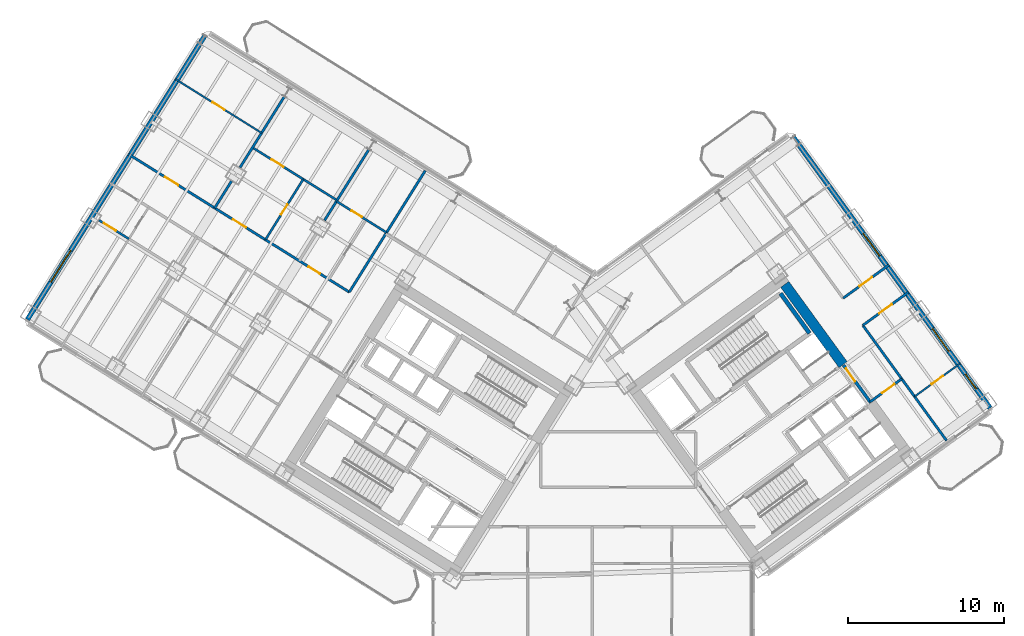
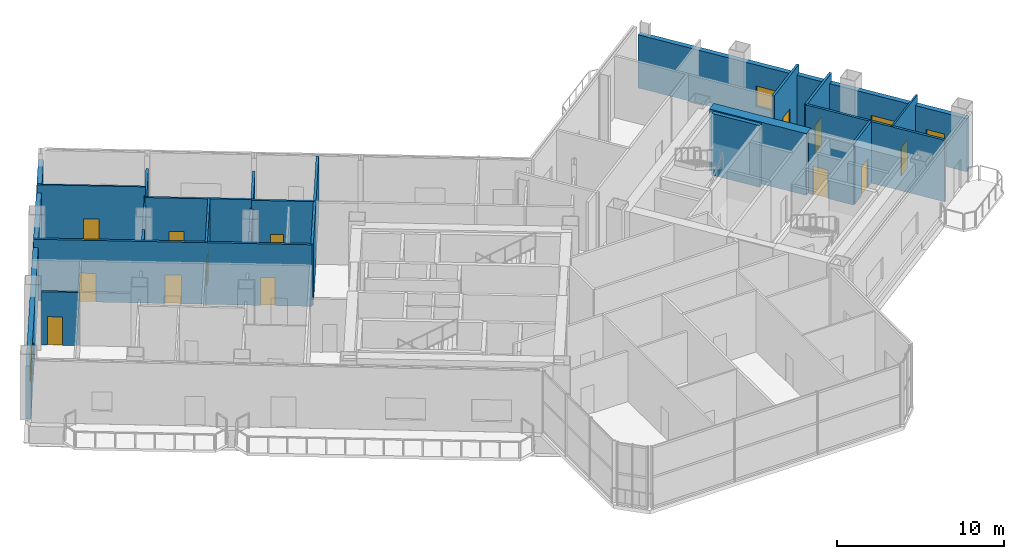
# One storey, part 16 of 22: 20 walls, 13 doors, 4 windows, 17 openings.
"""IFC4 building model written with IfcOpenShell, lengths in metres."""

from ifc_helpers import new_model, si_unit, direction, frame, frame_2d, origin, place, context, subcontext, project, spatial, rectangle, extrude, source, transform, mapped, material, layer, layer_set, type_object, element, fill, save


model = new_model("IFC4")

# Units and contexts
model_context = context("Model", 3, precision=1e-05, world=origin(), true_north=direction((0.0, 1.0)))
body_context = subcontext(model_context, "Body", "Model", "MODEL_VIEW")
ifc_project = project(units=[si_unit("LENGTHUNIT", "METRE"), si_unit("AREAUNIT", "SQUARE_METRE"), si_unit("VOLUMEUNIT", "CUBIC_METRE"), si_unit("PLANEANGLEUNIT", "RADIAN"), si_unit("MASSUNIT", "GRAM", prefix="KILO")], contexts=[model_context])

# Site, building, storey
site_placement = place(None, origin())
site = spatial("IfcSite", under=ifc_project, at=site_placement, CompositionType="ELEMENT")
building_placement = place(site_placement, origin())
building = spatial("IfcBuilding", under=site, at=building_placement, Name="Tlacorven Tower", CompositionType="ELEMENT")
storey_placement = place(building_placement, frame((0.0, 0.0, 71.699951171875)))
storey = spatial("IfcBuildingStorey", under=building, at=storey_placement, Name="L18", CompositionType="ELEMENT", Elevation=71.699951171875)

# Walls
ifc_material_1 = material(Name="Concrete C60/75", Category="concrete")
ifc_layer_1 = layer(ifc_material_1, 0.64990234375)
ifc_layer_set_1 = layer_set([ifc_layer_1], Name="Concrete C60/75")
wall_type_1 = type_object("IfcWallType", Name="WL-COR-650", PredefinedType="SHEAR", material=ifc_layer_set_1)
wall_1_placement = place(storey_placement, frame((58.06396484375, 25.8134765625, 0.0), z_axis=(0.0, 0.0, 1.0), x_axis=(-0.58777996584, 0.809020835181, 0.0)))
element("IfcWall", 1, at=wall_1_placement, inside=storey, type_object=wall_type_1, Name="L18 E core end wall E2.2", PredefinedType="SHEAR", context=body_context, shape_type="SweptSolid", body=[
    extrude(rectangle(XDim=6.375, YDim=0.64990234375, at=frame_2d((3.1875, 0.0))), origin(), (0.0, 0.0, 1.0), 4.52001953125),
])
ifc_material_2 = material(Name="Gypsum plasterboard acoustic partition", Category="gypsum")
ifc_layer_2 = layer(ifc_material_2, 0.159912109375)
ifc_layer_set_2 = layer_set([ifc_layer_2], Name="Gypsum plasterboard acoustic partition")
wall_type_2 = type_object("IfcWallType", Name="WL-DEM-160", PredefinedType="PARTITIONING", material=ifc_layer_set_2)
wall_2_placement = place(storey_placement, frame((31.238525390625, 38.27392578125, 0.0), z_axis=(0.0, 0.0, 1.0), x_axis=(-0.529920220799, -0.848047498427, 0.0)))
element("IfcWall", 2, at=wall_2_placement, inside=storey, type_object=wall_type_2, Name="L18 partition 51", PredefinedType="PARTITIONING", context=body_context, shape_type="SweptSolid", body=[
    extrude(rectangle(XDim=9.199951171875, YDim=0.159912109375, at=frame_2d((4.60009765625, 0.0))), origin(), (0.0, 0.0, 1.0), 4.510009765625),
])

# Wall, openings, doors
wall_3_placement = place(storey_placement, frame((26.36328125, 30.471923828125, 0.0), z_axis=(0.0, 0.0, 1.0), x_axis=(-0.848052408131, 0.529912363569, 0.0)))
wall_3 = element("IfcWall", 3, at=wall_3_placement, inside=storey, type_object=wall_type_2, Name="L18 Wing W Corridor South Wall", PredefinedType="PARTITIONING", context=body_context, shape_type="SweptSolid", body=[
    extrude(rectangle(XDim=16.72998046875, YDim=0.159912109375, at=frame_2d((8.364990234375, 0.0))), origin(), (0.0, 0.0, 1.0), 4.510009765625),
])
opening_1_placement = place(wall_3_placement, frame((2.219970703125, 0.0, 0.0)))
opening_1 = element("IfcOpeningElement", 4, at=opening_1_placement, cuts=wall_3, Name="Opening D19", PredefinedType="OPENING", context=body_context, shape_type="SweptSolid", body=[
    extrude(rectangle(XDim=0.860107421875, YDim=2.050048828125, at=frame_2d((0.43017578125, 1.02490234375))), frame((0.0, 0.08984375, 0.0), z_axis=(0.0, -1.0, 0.0), x_axis=(1.0, 0.0, 0.0)), (0.0, 0.0, 1.0), 0.179931640625),
])
opening_2_placement = place(wall_3_placement, frame((7.820068359375, 0.0, 0.0)))
opening_2 = element("IfcOpeningElement", 5, at=opening_2_placement, cuts=wall_3, Name="Opening D11", PredefinedType="OPENING", context=body_context, shape_type="SweptSolid", body=[
    extrude(rectangle(XDim=1.0, YDim=2.10009765625, at=frame_2d((0.5, 1.050048828125))), frame((0.0, 0.08984375, 0.0), z_axis=(0.0, -1.0, 0.0), x_axis=(1.0, 0.0, 0.0)), (0.0, 0.0, 1.0), 0.179931640625),
])
opening_3_placement = place(wall_3_placement, frame((12.949951171875, 0.0, 0.0)))
opening_3 = element("IfcOpeningElement", 6, at=opening_3_placement, cuts=wall_3, Name="Opening D11", PredefinedType="OPENING", context=body_context, shape_type="SweptSolid", body=[
    extrude(rectangle(XDim=1.0, YDim=2.10009765625, at=frame_2d((0.5, 1.050048828125))), frame((0.0, 0.08984375, 0.0), z_axis=(0.0, -1.0, 0.0), x_axis=(1.0, 0.0, 0.0)), (0.0, 0.0, 1.0), 0.179931640625),
])
ifc_material_3 = material(Name="Fire-rated steel door assembly", Category="steel")
door_type_1 = type_object("IfcDoorType", Name="DR-RSR-FD60-0860", OperationType="NOTDEFINED", PredefinedType="DOOR", material=ifc_material_3)
shared_shape_1 = source(origin(), body_context, "Body", "SweptSolid", [
    extrude(rectangle(XDim=0.860107421875, YDim=2.050048828125, at=frame_2d((0.43017578125, 1.02490234375))), frame((0.0, 0.02490234375, 0.0), z_axis=(0.0, -1.0, 0.0), x_axis=(1.0, 0.0, 0.0)), (0.0, 0.0, 1.0), 0.050048828125),
])
door_1_placement = place(opening_1_placement, origin())
door_1 = element("IfcDoor", 7, at=door_1_placement, inside=storey, type_object=door_type_1, Name="L18 door 034", OperationType="SINGLE_SWING_RIGHT", OverallHeight=2.050048828125, OverallWidth=0.860107421875, PredefinedType="DOOR", context=body_context, shape_type="MappedRepresentation", body=[
    mapped(shared_shape_1, transform((0.0, 0.0, 0.0), scale=1.0)),
])
fill(opening_1, door_1)
door_type_2 = type_object("IfcDoorType", Name="DR-FLT-FD60-1000", OperationType="NOTDEFINED", PredefinedType="DOOR", material=ifc_material_3)
shared_shape_2 = source(origin(), body_context, "Body", "SweptSolid", [
    extrude(rectangle(XDim=1.0, YDim=2.10009765625, at=frame_2d((0.5, 1.050048828125))), frame((0.0, 0.02490234375, 0.0), z_axis=(0.0, -1.0, 0.0), x_axis=(1.0, 0.0, 0.0)), (0.0, 0.0, 1.0), 0.050048828125),
])
door_2_placement = place(opening_2_placement, origin())
door_2 = element("IfcDoor", 8, at=door_2_placement, inside=storey, type_object=door_type_2, Name="L18 door 037", OperationType="SINGLE_SWING_LEFT", OverallHeight=2.10009765625, OverallWidth=1.0, PredefinedType="DOOR", context=body_context, shape_type="MappedRepresentation", body=[
    mapped(shared_shape_2, transform((0.0, 0.0, 0.0), scale=1.0)),
])
fill(opening_2, door_2)
door_3_placement = place(opening_3_placement, origin())
door_3 = element("IfcDoor", 9, at=door_3_placement, inside=storey, type_object=door_type_2, Name="L18 door 040", OperationType="SINGLE_SWING_RIGHT", OverallHeight=2.10009765625, OverallWidth=1.0, PredefinedType="DOOR", context=body_context, shape_type="MappedRepresentation", body=[
    mapped(shared_shape_2, transform((0.0, 0.0, 0.0), scale=1.0)),
])
fill(opening_3, door_3)

# Walls
for number, where, z_axis, x_axis, name in (
    (10, (27.607421875, 39.614990234375, 0.0), (0.0, 0.0, 1.0), (-0.529937421401, -0.848036750028, 0.0), "L18 WS Demising Wall 1"),
    (11, (22.179931640625, 43.00634765625, 0.0), (0.0, 0.0, 1.0), (-0.529937421401, -0.848036750028, 0.0), "L18 WS Demising Wall 2"),
):
    element("IfcWall", number, at=place(storey_placement, frame(where, z_axis=z_axis, x_axis=x_axis)), inside=storey, type_object=wall_type_2, Name=name, PredefinedType="PARTITIONING", context=body_context, shape_type="SweptSolid", body=[
        extrude(rectangle(XDim=5.35107421875, YDim=0.159912109375, at=frame_2d((2.675537109375, 0.0))), origin(), (0.0, 0.0, 1.0), 3.89501953125),
    ])
wall_4_placement = place(storey_placement, frame((18.801513671875, 37.60009765625, 0.0), z_axis=(0.0, 0.0, 1.0), x_axis=(-0.529880479764, -0.848072330149, 0.0)))
element("IfcWall", 12, at=wall_4_placement, inside=storey, type_object=wall_type_2, Name="L18 WS Demising Wall 2", PredefinedType="PARTITIONING", context=body_context, shape_type="SweptSolid", body=[
    extrude(rectangle(XDim=2.037841796875, YDim=0.159912109375, at=frame_2d((1.01904296875, 0.0))), origin(), (0.0, 0.0, 1.0), 3.89501953125),
])

# Wall, opening, door
wall_5_placement = place(storey_placement, frame((59.7978515625, 23.427001953125, 0.0), z_axis=(0.0, 0.0, 1.0), x_axis=(0.809034604122, 0.587761013791, 0.0)))
wall_5 = element("IfcWall", 13, at=wall_5_placement, inside=storey, type_object=wall_type_2, Name="L18 partition 95", PredefinedType="PARTITIONING", context=body_context, shape_type="SweptSolid", body=[
    extrude(rectangle(XDim=2.510009765625, YDim=0.159912109375, at=frame_2d((1.2548828125, 0.0))), origin(), (0.0, 0.0, 1.0), 4.510009765625),
])
opening_4_placement = place(wall_5_placement, frame((0.949951171875, 0.0, 0.0)))
opening_4 = element("IfcOpeningElement", 14, at=opening_4_placement, cuts=wall_5, Name="Opening D11", PredefinedType="OPENING", context=body_context, shape_type="SweptSolid", body=[
    extrude(rectangle(XDim=1.0, YDim=2.10009765625, at=frame_2d((0.5, 1.050048828125))), frame((0.0, 0.08984375, 0.0), z_axis=(0.0, -1.0, 0.0), x_axis=(1.0, 0.0, 0.0)), (0.0, 0.0, 1.0), 0.179931640625),
])
door_4_placement = place(opening_4_placement, frame((1.0, 0.0, 0.0), z_axis=(0.0, 0.0, 1.0), x_axis=(-1.0, 0.0, 0.0)))
door_4 = element("IfcDoor", 15, at=door_4_placement, inside=storey, type_object=door_type_2, Name="L18 door 058", OperationType="SINGLE_SWING_LEFT", OverallHeight=2.10009765625, OverallWidth=1.0, PredefinedType="DOOR", context=body_context, shape_type="MappedRepresentation", body=[
    mapped(shared_shape_2, transform((0.0, 0.0, 0.0), scale=1.0)),
])
fill(opening_4, door_4)

# Wall
wall_6_placement = place(storey_placement, frame((64.708740234375, 20.93798828125, 0.0), z_axis=(0.0, 0.0, 1.0), x_axis=(-0.587776590479, 0.80902328748, 0.0)))
element("IfcWall", 16, at=wall_6_placement, inside=storey, type_object=wall_type_2, Name="L18 partition 97", PredefinedType="PARTITIONING", context=body_context, shape_type="SweptSolid", body=[
    extrude(rectangle(XDim=9.150146484375, YDim=0.159912109375, at=frame_2d((4.5751953125, 0.0))), origin(), (0.0, 0.0, 1.0), 4.510009765625),
])

# Wall, opening, door
wall_7_placement = place(storey_placement, frame((59.33056640625, 28.340576171875, 0.0), z_axis=(0.0, 0.0, 1.0), x_axis=(0.809003564202, 0.587803736896, 0.0)))
wall_7 = element("IfcWall", 17, at=wall_7_placement, inside=storey, type_object=wall_type_2, Name="L18 partition 100", PredefinedType="PARTITIONING", context=body_context, shape_type="SweptSolid", body=[
    extrude(rectangle(XDim=3.630126953125, YDim=0.159912109375, at=frame_2d((1.81494140625, 0.0))), origin(), (0.0, 0.0, 1.0), 4.510009765625),
])
opening_5_placement = place(wall_7_placement, frame((1.304931640625, 0.0, 0.0)))
opening_5 = element("IfcOpeningElement", 18, at=opening_5_placement, cuts=wall_7, Name="Opening D11", PredefinedType="OPENING", context=body_context, shape_type="SweptSolid", body=[
    extrude(rectangle(XDim=1.0, YDim=2.10009765625, at=frame_2d((0.5, 1.050048828125))), frame((0.0, 0.08984375, 0.0), z_axis=(0.0, -1.0, 0.0), x_axis=(1.0, 0.0, 0.0)), (0.0, 0.0, 1.0), 0.179931640625),
])
door_5_placement = place(opening_5_placement, origin())
door_5 = element("IfcDoor", 19, at=door_5_placement, inside=storey, type_object=door_type_2, Name="L18 door 062", OperationType="SINGLE_SWING_LEFT", OverallHeight=2.10009765625, OverallWidth=1.0, PredefinedType="DOOR", context=body_context, shape_type="MappedRepresentation", body=[
    mapped(shared_shape_2, transform((0.0, 0.0, 0.0), scale=1.0)),
])
fill(opening_5, door_5)

wall_8_placement = place(storey_placement, frame((58.06689453125, 30.080078125, 0.0), z_axis=(0.0, 0.0, 1.0), x_axis=(0.809012309495, 0.587791700422, 0.0)))
wall_8 = element("IfcWall", 20, at=wall_8_placement, inside=storey, type_object=wall_type_2, Name="L18 partition 101", PredefinedType="PARTITIONING", context=body_context, shape_type="SweptSolid", body=[
    extrude(rectangle(XDim=3.6298828125, YDim=0.159912109375, at=frame_2d((1.81494140625, 0.0))), origin(), (0.0, 0.0, 1.0), 4.510009765625),
])
opening_6_placement = place(wall_8_placement, frame((1.304931640625, 0.0, 0.0)))
opening_6 = element("IfcOpeningElement", 21, at=opening_6_placement, cuts=wall_8, Name="Opening D11", PredefinedType="OPENING", context=body_context, shape_type="SweptSolid", body=[
    extrude(rectangle(XDim=1.0, YDim=2.10009765625, at=frame_2d((0.5, 1.050048828125))), frame((0.0, 0.08984375, 0.0), z_axis=(0.0, -1.0, 0.0), x_axis=(1.0, 0.0, 0.0)), (0.0, 0.0, 1.0), 0.179931640625),
])
door_6_placement = place(opening_6_placement, origin())
door_6 = element("IfcDoor", 22, at=door_6_placement, inside=storey, type_object=door_type_2, Name="L18 door 060", OperationType="SINGLE_SWING_LEFT", OverallHeight=2.10009765625, OverallWidth=1.0, PredefinedType="DOOR", context=body_context, shape_type="MappedRepresentation", body=[
    mapped(shared_shape_2, transform((0.0, 0.0, 0.0), scale=1.0)),
])
fill(opening_6, door_6)

# Wall, opening, window
ifc_material_4 = material(Name="Precast concrete C45/55", Category="concrete")
ifc_layer_3 = layer(ifc_material_4, 0.320068359375)
ifc_layer_set_3 = layer_set([ifc_layer_3], Name="Precast concrete C45/55")
wall_type_3 = type_object("IfcWallType", Name="WL-EXT-320", PredefinedType="STANDARD", material=ifc_layer_set_3)
wall_9_placement = place(storey_placement, frame((5.699951171875, 28.71044921875, 0.0), z_axis=(0.0, 0.0, 1.0), x_axis=(0.529923711467, 0.8480453172, 0.0)))
wall_9 = element("IfcWall", 23, at=wall_9_placement, inside=storey, type_object=wall_type_3, Name="L18 Masonry-Frame Recessed Facade Wall 2", PredefinedType="STANDARD", context=body_context, shape_type="SweptSolid", body=[
    extrude(rectangle(XDim=21.58740234375, YDim=0.320068359375, at=frame_2d((10.793701171875, 0.0))), origin(), (0.0, 0.0, 1.0), 3.89501953125),
])
opening_7_placement = place(wall_9_placement, frame((2.84375, 0.0, 0.75)))
opening_7 = element("IfcOpeningElement", 24, at=opening_7_placement, cuts=wall_9, Name="Opening WN06", PredefinedType="OPENING", context=body_context, shape_type="SweptSolid", body=[
    extrude(rectangle(XDim=2.39990234375, YDim=1.60009765625, at=frame_2d((1.199951171875, 0.800048828125))), frame((0.0, 0.169921875, 0.0), z_axis=(0.0, -1.0, 0.0), x_axis=(1.0, 0.0, 0.0)), (0.0, 0.0, 1.0), 0.340087890625),
])
ifc_material_5 = material(Name="Dark solar low-E double glazing in anodised aluminium frame", Category="aluminium")
window_type_1 = type_object("IfcWindowType", Name="WN-APT-2400X1800", PartitioningType="SINGLE_PANEL", PredefinedType="WINDOW", material=ifc_material_5)
shared_shape_3 = source(origin(), body_context, "Body", "SweptSolid", [
    extrude(rectangle(XDim=2.39990234375, YDim=1.60009765625, at=frame_2d((1.199951171875, 0.800048828125))), frame((0.0, 0.030029296875, 0.0), z_axis=(0.0, -1.0, 0.0), x_axis=(1.0, 0.0, 0.0)), (0.0, 0.0, 1.0), 0.06005859375),
])
window_1_placement = place(opening_7_placement, origin())
window_1 = element("IfcWindow", 25, at=window_1_placement, inside=storey, type_object=window_type_1, Name="L18 Recessed Masonry-Frame Window L18-02.1", OverallHeight=1.60009765625, OverallWidth=2.39990234375, PartitioningType="SINGLE_PANEL", PredefinedType="WINDOW", context=body_context, shape_type="MappedRepresentation", body=[
    mapped(shared_shape_3, transform((0.0, 0.0, 0.0), scale=1.0)),
])
fill(opening_7, window_1)

# Wall, openings, windows
wall_10_placement = place(storey_placement, frame((54.810302734375, 40.49951171875, 0.0), z_axis=(0.0, 0.0, 1.0), x_axis=(0.587783625747, -0.809018176127, 0.0)))
wall_10 = element("IfcWall", 26, at=wall_10_placement, inside=storey, type_object=wall_type_3, Name="L18 Masonry-Frame Recessed Facade Wall 5", PredefinedType="STANDARD", context=body_context, shape_type="SweptSolid", body=[
    extrude(rectangle(XDim=21.58740234375, YDim=0.320068359375, at=frame_2d((10.793701171875, 0.0))), origin(), (0.0, 0.0, 1.0), 3.89501953125),
])
opening_8_placement = place(wall_10_placement, frame((7.728759765625, 0.0, 0.85009765625)))
opening_8 = element("IfcOpeningElement", 27, at=opening_8_placement, cuts=wall_10, Name="Opening WN01", PredefinedType="OPENING", context=body_context, shape_type="SweptSolid", body=[
    extrude(rectangle(XDim=1.800048828125, YDim=1.5, at=frame_2d((0.89990234375, 0.75))), frame((0.0, 0.169921875, 0.0), z_axis=(0.0, -1.0, 0.0), x_axis=(1.0, 0.0, 0.0)), (0.0, 0.0, 1.0), 0.340087890625),
])
opening_9_placement = place(wall_10_placement, frame((15.292236328125, 0.0, 0.85009765625)))
opening_9 = element("IfcOpeningElement", 28, at=opening_9_placement, cuts=wall_10, Name="Opening WN01", PredefinedType="OPENING", context=body_context, shape_type="SweptSolid", body=[
    extrude(rectangle(XDim=1.800048828125, YDim=1.5, at=frame_2d((0.89990234375, 0.75))), frame((0.0, 0.169921875, 0.0), z_axis=(0.0, -1.0, 0.0), x_axis=(1.0, 0.0, 0.0)), (0.0, 0.0, 1.0), 0.340087890625),
])
opening_10_placement = place(wall_10_placement, frame((18.897216796875, 0.0, 0.949951171875)))
opening_10 = element("IfcOpeningElement", 29, at=opening_10_placement, cuts=wall_10, Name="Opening WN03", PredefinedType="OPENING", context=body_context, shape_type="SweptSolid", body=[
    extrude(rectangle(XDim=1.199951171875, YDim=1.39990234375, at=frame_2d((0.60009765625, 0.699951171875))), frame((0.0, 0.169921875, 0.0), z_axis=(0.0, -1.0, 0.0), x_axis=(1.0, 0.0, 0.0)), (0.0, 0.0, 1.0), 0.340087890625),
])
window_type_2 = type_object("IfcWindowType", Name="WN-APT-1200X1500", PartitioningType="SINGLE_PANEL", PredefinedType="WINDOW", material=ifc_material_5)
shared_shape_4 = source(origin(), body_context, "Body", "SweptSolid", [
    extrude(rectangle(XDim=1.199951171875, YDim=1.39990234375, at=frame_2d((0.60009765625, 0.699951171875))), frame((0.0, 0.030029296875, 0.0), z_axis=(0.0, -1.0, 0.0), x_axis=(1.0, 0.0, 0.0)), (0.0, 0.0, 1.0), 0.06005859375),
])
window_2_placement = place(opening_10_placement, origin())
window_2 = element("IfcWindow", 30, at=window_2_placement, inside=storey, type_object=window_type_2, Name="L18 Recessed Masonry-Frame Window L18-05.3", OverallHeight=1.39990234375, OverallWidth=1.199951171875, PartitioningType="SINGLE_PANEL", PredefinedType="WINDOW", context=body_context, shape_type="MappedRepresentation", body=[
    mapped(shared_shape_4, transform((0.0, 0.0, 0.0), scale=1.0)),
])
fill(opening_10, window_2)
window_type_3 = type_object("IfcWindowType", Name="WN-APT-1800X1650", PartitioningType="SINGLE_PANEL", PredefinedType="WINDOW", material=ifc_material_5)
shared_shape_5 = source(origin(), body_context, "Body", "SweptSolid", [
    extrude(rectangle(XDim=1.800048828125, YDim=1.5, at=frame_2d((0.89990234375, 0.75))), frame((0.0, 0.030029296875, 0.0), z_axis=(0.0, -1.0, 0.0), x_axis=(1.0, 0.0, 0.0)), (0.0, 0.0, 1.0), 0.06005859375),
])
window_3_placement = place(opening_8_placement, origin())
window_3 = element("IfcWindow", 31, at=window_3_placement, inside=storey, type_object=window_type_3, Name="L18 Recessed Masonry-Frame Window L18-05.1", OverallHeight=1.5, OverallWidth=1.800048828125, PartitioningType="SINGLE_PANEL", PredefinedType="WINDOW", context=body_context, shape_type="MappedRepresentation", body=[
    mapped(shared_shape_5, transform((0.0, 0.0, 0.0), scale=1.0)),
])
fill(opening_8, window_3)
window_4_placement = place(opening_9_placement, origin())
window_4 = element("IfcWindow", 32, at=window_4_placement, inside=storey, type_object=window_type_3, Name="L18 Recessed Masonry-Frame Window L18-05.2", OverallHeight=1.5, OverallWidth=1.800048828125, PartitioningType="SINGLE_PANEL", PredefinedType="WINDOW", context=body_context, shape_type="MappedRepresentation", body=[
    mapped(shared_shape_5, transform((0.0, 0.0, 0.0), scale=1.0)),
])
fill(opening_9, window_4)

# Wall, opening, door
ifc_material_6 = material(Name="Gypsum plasterboard partition", Category="gypsum")
ifc_layer_4 = layer(ifc_material_6, 0.110107421875)
ifc_layer_set_4 = layer_set([ifc_layer_4], Name="Gypsum plasterboard partition")
wall_type_4 = type_object("IfcWallType", Name="WL-INT-110", PredefinedType="PARTITIONING", material=ifc_layer_set_4)
wall_11_placement = place(storey_placement, frame((20.732666015625, 40.6904296875, 0.0), z_axis=(0.0, 0.0, 1.0), x_axis=(-0.848048787466, 0.529918157905, 0.0)))
wall_11 = element("IfcWall", 33, at=wall_11_placement, inside=storey, type_object=wall_type_4, Name="L18 partition 72", PredefinedType="PARTITIONING", context=body_context, shape_type="SweptSolid", body=[
    extrude(rectangle(XDim=6.52001953125, YDim=0.110107421875, at=frame_2d((3.260009765625, 0.0))), origin(), (0.0, 0.0, 1.0), 4.510009765625),
])
opening_11_placement = place(wall_11_placement, frame((2.800048828125, 0.0, 0.0)))
opening_11 = element("IfcOpeningElement", 34, at=opening_11_placement, cuts=wall_11, Name="Opening D12", PredefinedType="OPENING", context=body_context, shape_type="SweptSolid", body=[
    extrude(rectangle(XDim=0.919921875, YDim=2.080078125, at=frame_2d((0.4599609375, 1.0400390625))), frame((0.0, 0.06494140625, 0.0), z_axis=(0.0, -1.0, 0.0), x_axis=(1.0, 0.0, 0.0)), (0.0, 0.0, 1.0), 0.130126953125),
])
ifc_material_7 = material(Name="Powder-coated aluminium and timber door", Category="wood")
door_type_3 = type_object("IfcDoorType", Name="DR-INT-ROOM-0920", OperationType="NOTDEFINED", PredefinedType="DOOR", material=ifc_material_7)
shared_shape_6 = source(origin(), body_context, "Body", "SweptSolid", [
    extrude(rectangle(XDim=0.919921875, YDim=2.080078125, at=frame_2d((0.4599609375, 1.0400390625))), frame((0.0, 0.02490234375, 0.0), z_axis=(0.0, -1.0, 0.0), x_axis=(1.0, 0.0, 0.0)), (0.0, 0.0, 1.0), 0.050048828125),
])
door_7_placement = place(opening_11_placement, origin())
door_7 = element("IfcDoor", 35, at=door_7_placement, inside=storey, type_object=door_type_3, Name="L18 door 041", OperationType="SINGLE_SWING_LEFT", OverallHeight=2.080078125, OverallWidth=0.919921875, PredefinedType="DOOR", context=body_context, shape_type="MappedRepresentation", body=[
    mapped(shared_shape_6, transform((0.0, 0.0, 0.0), scale=1.0)),
])
fill(opening_11, door_7)

wall_12_placement = place(storey_placement, frame((62.652587890625, 23.76806640625, 0.0), z_axis=(0.0, 0.0, 1.0), x_axis=(0.809037198293, 0.58775744298, 0.0)))
wall_12 = element("IfcWall", 36, at=wall_12_placement, inside=storey, type_object=wall_type_4, Name="L18 partition 103", PredefinedType="PARTITIONING", context=body_context, shape_type="SweptSolid", body=[
    extrude(rectangle(XDim=3.610107421875, YDim=0.110107421875, at=frame_2d((1.80517578125, 0.0))), origin(), (0.0, 0.0, 1.0), 4.510009765625),
])
opening_12_placement = place(wall_12_placement, frame((1.344970703125, 0.0, 0.0)))
opening_12 = element("IfcOpeningElement", 37, at=opening_12_placement, cuts=wall_12, Name="Opening D12", PredefinedType="OPENING", context=body_context, shape_type="SweptSolid", body=[
    extrude(rectangle(XDim=0.919921875, YDim=2.080078125, at=frame_2d((0.4599609375, 1.0400390625))), frame((0.0, 0.06494140625, 0.0), z_axis=(0.0, -1.0, 0.0), x_axis=(1.0, 0.0, 0.0)), (0.0, 0.0, 1.0), 0.130126953125),
])
door_8_placement = place(opening_12_placement, origin())
door_8 = element("IfcDoor", 38, at=door_8_placement, inside=storey, type_object=door_type_3, Name="L18 door 063", OperationType="SINGLE_SWING_RIGHT", OverallHeight=2.080078125, OverallWidth=0.919921875, PredefinedType="DOOR", context=body_context, shape_type="MappedRepresentation", body=[
    mapped(shared_shape_6, transform((0.0, 0.0, 0.0), scale=1.0)),
])
fill(opening_12, door_8)

ifc_material_8 = material(Name="Moisture-resistant gypsum plumbing wall", Category="gypsum")
ifc_layer_5 = layer(ifc_material_8, 0.139892578125)
ifc_layer_set_5 = layer_set([ifc_layer_5], Name="Moisture-resistant gypsum plumbing wall")
wall_type_5 = type_object("IfcWallType", Name="WL-PLM-140", PredefinedType="PLUMBINGWALL", material=ifc_layer_set_5)
wall_13_placement = place(storey_placement, frame((12.214111328125, 33.88916015625, 0.0), z_axis=(0.0, 0.0, 1.0), x_axis=(-0.848082963347, 0.529863460979, 0.0)))
wall_13 = element("IfcWall", 39, at=wall_13_placement, inside=storey, type_object=wall_type_5, Name="L18 partition 64", PredefinedType="PLUMBINGWALL", context=body_context, shape_type="SweptSolid", body=[
    extrude(rectangle(XDim=2.267822265625, YDim=0.139892578125, at=frame_2d((1.1337890625, 0.0))), origin(), (0.0, 0.0, 1.0), 3.89501953125),
])
opening_13_placement = place(wall_13_placement, frame((0.989990234375, 0.0, 0.0)))
opening_13 = element("IfcOpeningElement", 40, at=opening_13_placement, cuts=wall_13, Name="Opening D12", PredefinedType="OPENING", context=body_context, shape_type="SweptSolid", body=[
    extrude(rectangle(XDim=0.919921875, YDim=2.080078125, at=frame_2d((0.4599609375, 1.0400390625))), frame((0.0, 0.080078125, 0.0), z_axis=(0.0, -1.0, 0.0), x_axis=(1.0, 0.0, 0.0)), (0.0, 0.0, 1.0), 0.159912109375),
])
door_9_placement = place(opening_13_placement, origin())
door_9 = element("IfcDoor", 41, at=door_9_placement, inside=storey, type_object=door_type_3, Name="L18 door 031", OperationType="SINGLE_SWING_LEFT", OverallHeight=2.080078125, OverallWidth=0.919921875, PredefinedType="DOOR", context=body_context, shape_type="MappedRepresentation", body=[
    mapped(shared_shape_6, transform((0.0, 0.0, 0.0), scale=1.0)),
])
fill(opening_13, door_9)

wall_14_placement = place(storey_placement, frame((28.753173828125, 34.296630859375, 0.0), z_axis=(0.0, 0.0, 1.0), x_axis=(-0.848059820872, 0.529900500304, 0.0)))
wall_14 = element("IfcWall", 42, at=wall_14_placement, inside=storey, type_object=wall_type_5, Name="L18 partition 67", PredefinedType="PLUMBINGWALL", context=body_context, shape_type="SweptSolid", body=[
    extrude(rectangle(XDim=3.7900390625, YDim=0.139892578125, at=frame_2d((1.89501953125, 0.0))), origin(), (0.0, 0.0, 1.0), 4.510009765625),
])
opening_14_placement = place(wall_14_placement, frame((1.8701171875, 0.0, 0.0)))
opening_14 = element("IfcOpeningElement", 43, at=opening_14_placement, cuts=wall_14, Name="Opening D22", PredefinedType="OPENING", context=body_context, shape_type="SweptSolid", body=[
    extrude(rectangle(XDim=0.780029296875, YDim=2.050048828125, at=frame_2d((0.39013671875, 1.02490234375))), frame((0.0, 0.080078125, 0.0), z_axis=(0.0, -1.0, 0.0), x_axis=(1.0, 0.0, 0.0)), (0.0, 0.0, 1.0), 0.159912109375),
])
door_type_4 = type_object("IfcDoorType", Name="DR-INT-WET-0780", OperationType="NOTDEFINED", PredefinedType="DOOR", material=ifc_material_7)
shared_shape_7 = source(origin(), body_context, "Body", "SweptSolid", [
    extrude(rectangle(XDim=0.780029296875, YDim=2.050048828125, at=frame_2d((0.39013671875, 1.02490234375))), frame((0.0, 0.02490234375, 0.0), z_axis=(0.0, -1.0, 0.0), x_axis=(1.0, 0.0, 0.0)), (0.0, 0.0, 1.0), 0.050048828125),
])
door_10_placement = place(opening_14_placement, origin())
door_10 = element("IfcDoor", 44, at=door_10_placement, inside=storey, type_object=door_type_4, Name="L18 door 035", OperationType="SINGLE_SWING_LEFT", OverallHeight=2.050048828125, OverallWidth=0.780029296875, PredefinedType="DOOR", context=body_context, shape_type="MappedRepresentation", body=[
    mapped(shared_shape_7, transform((0.0, 0.0, 0.0), scale=1.0)),
])
fill(opening_14, door_10)

wall_15_placement = place(storey_placement, frame((25.576171875, 36.364501953125, 0.0), z_axis=(0.0, 0.0, 1.0), x_axis=(-0.848056163074, 0.529906354247, 0.0)))
wall_15 = element("IfcWall", 45, at=wall_15_placement, inside=storey, type_object=wall_type_5, Name="L18 partition 70", PredefinedType="PLUMBINGWALL", context=body_context, shape_type="SweptSolid", body=[
    extrude(rectangle(XDim=6.39990234375, YDim=0.139892578125, at=frame_2d((3.199951171875, 0.0))), origin(), (0.0, 0.0, 1.0), 4.510009765625),
])
opening_15_placement = place(wall_15_placement, frame((4.0400390625, 0.0, 0.0)))
opening_15 = element("IfcOpeningElement", 46, at=opening_15_placement, cuts=wall_15, Name="Opening D12", PredefinedType="OPENING", context=body_context, shape_type="SweptSolid", body=[
    extrude(rectangle(XDim=0.919921875, YDim=2.080078125, at=frame_2d((0.4599609375, 1.0400390625))), frame((0.0, 0.080078125, 0.0), z_axis=(0.0, -1.0, 0.0), x_axis=(1.0, 0.0, 0.0)), (0.0, 0.0, 1.0), 0.159912109375),
])
door_11_placement = place(opening_15_placement, origin())
door_11 = element("IfcDoor", 47, at=door_11_placement, inside=storey, type_object=door_type_3, Name="L18 door 038", OperationType="SINGLE_SWING_RIGHT", OverallHeight=2.080078125, OverallWidth=0.919921875, PredefinedType="DOOR", context=body_context, shape_type="MappedRepresentation", body=[
    mapped(shared_shape_6, transform((0.0, 0.0, 0.0), scale=1.0)),
])
fill(opening_15, door_11)

wall_16_placement = place(storey_placement, frame((23.4052734375, 37.720947265625, 0.0), z_axis=(0.0, 0.0, 1.0), x_axis=(-0.529955816375, -0.848025254748, 0.0)))
wall_16 = element("IfcWall", 48, at=wall_16_placement, inside=storey, type_object=wall_type_5, Name="L18 partition 71", PredefinedType="PLUMBINGWALL", context=body_context, shape_type="SweptSolid", body=[
    extrude(rectangle(XDim=4.580078125, YDim=0.139892578125, at=frame_2d((2.2900390625, 0.0))), origin(), (0.0, 0.0, 1.0), 4.510009765625),
])
opening_16_placement = place(wall_16_placement, frame((1.89990234375, 0.0, 0.0)))
opening_16 = element("IfcOpeningElement", 49, at=opening_16_placement, cuts=wall_16, Name="Opening D22", PredefinedType="OPENING", context=body_context, shape_type="SweptSolid", body=[
    extrude(rectangle(XDim=0.780029296875, YDim=2.050048828125, at=frame_2d((0.39013671875, 1.02490234375))), frame((0.0, 0.080078125, 0.0), z_axis=(0.0, -1.0, 0.0), x_axis=(1.0, 0.0, 0.0)), (0.0, 0.0, 1.0), 0.159912109375),
])
door_12_placement = place(opening_16_placement, origin())
door_12 = element("IfcDoor", 50, at=door_12_placement, inside=storey, type_object=door_type_4, Name="L18 door 039", OperationType="SINGLE_SWING_LEFT", OverallHeight=2.050048828125, OverallWidth=0.780029296875, PredefinedType="DOOR", context=body_context, shape_type="MappedRepresentation", body=[
    mapped(shared_shape_7, transform((0.0, 0.0, 0.0), scale=1.0)),
])
fill(opening_16, door_12)

ifc_material_9 = material(Name="Concrete C40/50", Category="concrete")
ifc_layer_6 = layer(ifc_material_9, 0.199951171875)
ifc_layer_set_6 = layer_set([ifc_layer_6], Name="Concrete C40/50")
wall_type_6 = type_object("IfcWallType", Name="WL-SHF-200", PredefinedType="STANDARD", material=ifc_layer_set_6)
wall_17_placement = place(storey_placement, frame((59.827392578125, 23.386474609375, 0.0), z_axis=(0.0, 0.0, 1.0), x_axis=(-0.587803840107, 0.809003489211, 0.0)))
wall_17 = element("IfcWall", 51, at=wall_17_placement, inside=storey, type_object=wall_type_6, Name="L18 partition 94", PredefinedType="STANDARD", context=body_context, shape_type="SweptSolid", body=[
    extrude(rectangle(XDim=2.960205078125, YDim=0.199951171875, at=frame_2d((1.47998046875, 0.0))), origin(), (0.0, 0.0, 1.0), 4.510009765625),
])
opening_17_placement = place(wall_17_placement, frame((1.679931640625, 0.0, 0.0)))
opening_17 = element("IfcOpeningElement", 52, at=opening_17_placement, cuts=wall_17, Name="Opening D11", PredefinedType="OPENING", context=body_context, shape_type="SweptSolid", body=[
    extrude(rectangle(XDim=1.0, YDim=2.10009765625, at=frame_2d((0.5, 1.050048828125))), frame((0.0, 0.10986328125, 0.0), z_axis=(0.0, -1.0, 0.0), x_axis=(1.0, 0.0, 0.0)), (0.0, 0.0, 1.0), 0.219970703125),
])
door_13_placement = place(opening_17_placement, origin())
door_13 = element("IfcDoor", 53, at=door_13_placement, inside=storey, type_object=door_type_2, Name="L18 door 059", OperationType="SINGLE_SWING_RIGHT", OverallHeight=2.10009765625, OverallWidth=1.0, PredefinedType="DOOR", context=body_context, shape_type="MappedRepresentation", body=[
    mapped(shared_shape_2, transform((0.0, 0.0, 0.0), scale=1.0)),
])
fill(opening_17, door_13)

# Wall
ifc_material_10 = material(Name="Concrete C50/60", Category="concrete")
ifc_layer_7 = layer(ifc_material_10, 0.260009765625)
ifc_layer_set_7 = layer_set([ifc_layer_7], Name="Concrete C50/60")
wall_type_7 = type_object("IfcWallType", Name="WL-STW-260", PredefinedType="SHEAR", material=ifc_layer_set_7)
wall_18_placement = place(storey_placement, frame((55.906494140625, 27.83056640625, 0.0), z_axis=(0.0, 0.0, 1.0), x_axis=(-0.587804123638, 0.809003283204, 0.0)))
element("IfcWall", 54, at=wall_18_placement, inside=storey, type_object=wall_type_7, Name="L18 Stair E1 East Shear Wall", PredefinedType="SHEAR", context=body_context, shape_type="SweptSolid", body=[
    extrude(rectangle(XDim=3.159912109375, YDim=0.260009765625, at=frame_2d((1.580078125, 0.0))), origin(), (0.0, 0.0, 1.0), 4.52001953125),
])

save(model, "model.ifc")
